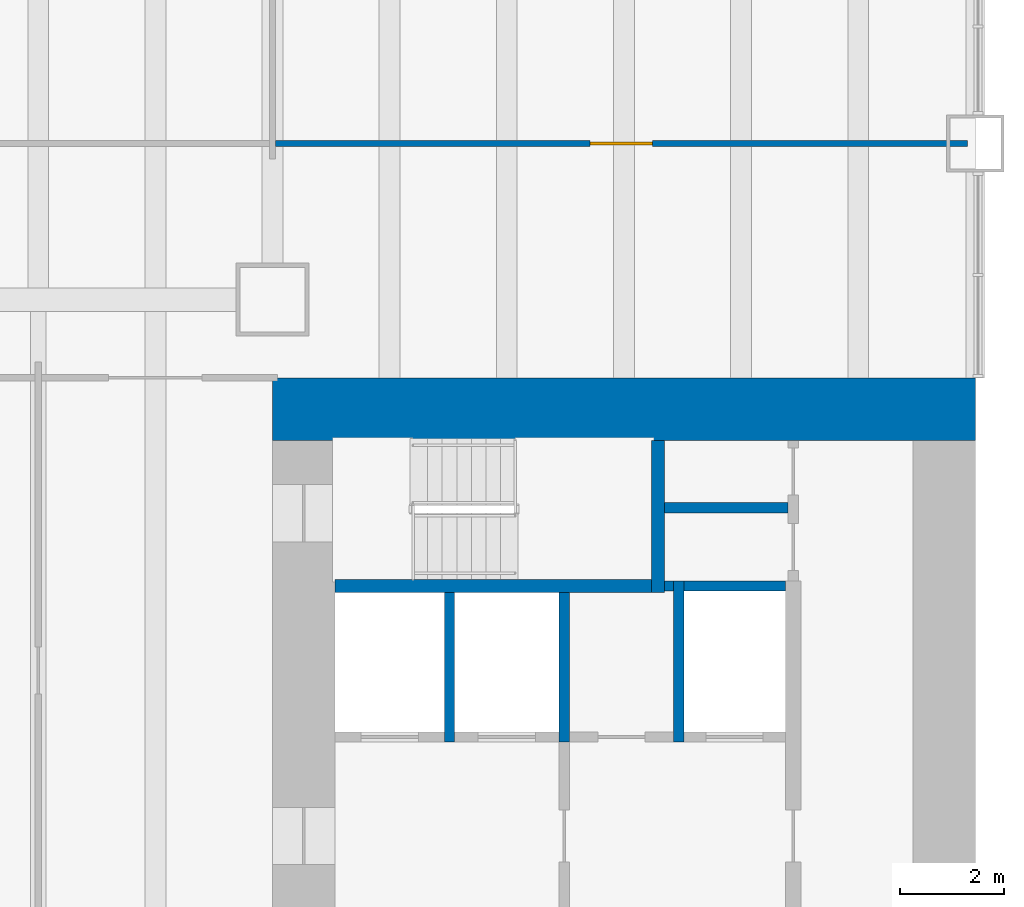
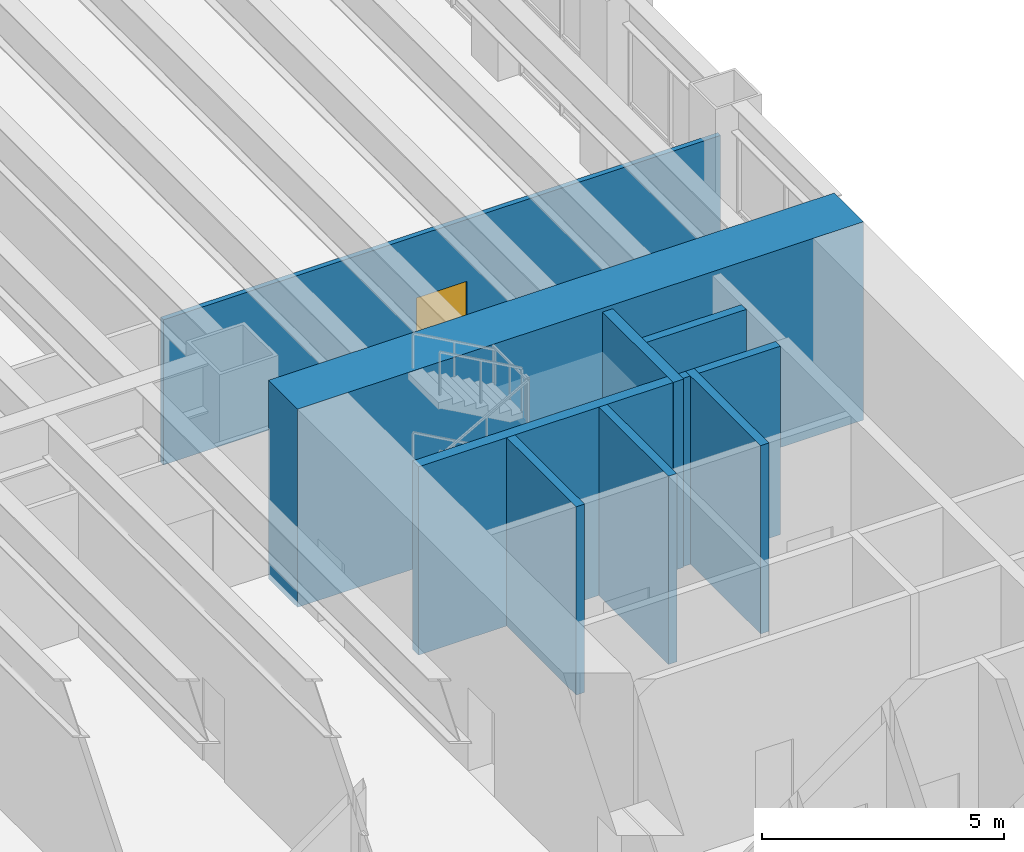
# One storey, part 13 of 19: 10 walls, 1 door, 1 opening.
"""IFC4 building model written with IfcOpenShell, lengths in metres."""

from ifc_helpers import new_model, si_unit, direction, frame, frame_2d, origin, place, context, subcontext, project, spatial, rectangle, extrude, material, layer, layer_set, type_object, element, fill, save


model = new_model("IFC4")

# Units and contexts
model_context = context("Model", 3, precision=1e-05, world=origin(), true_north=direction((0.0, 1.0)))
body_context = subcontext(model_context, "Body", "Model", "MODEL_VIEW")
ifc_project = project(units=[si_unit("LENGTHUNIT", "METRE"), si_unit("AREAUNIT", "SQUARE_METRE"), si_unit("VOLUMEUNIT", "CUBIC_METRE"), si_unit("PLANEANGLEUNIT", "RADIAN"), si_unit("MASSUNIT", "GRAM", prefix="KILO")], contexts=[model_context])

# Site, building, storey
site_placement = place(None, origin())
site = spatial("IfcSite", under=ifc_project, at=site_placement, CompositionType="ELEMENT")
building_placement = place(site_placement, origin())
building = spatial("IfcBuilding", under=site, at=building_placement, Name="Sennacour Bend Tower", CompositionType="ELEMENT")
storey_placement = place(building_placement, frame((0.0, 0.0, 19.0)))
storey = spatial("IfcBuildingStorey", under=building, at=storey_placement, Name="L03", CompositionType="ELEMENT", Elevation=19.0)

# Wall
ifc_material_1 = material(Name="Concrete C80/95", Category="concrete")
ifc_layer_1 = layer(ifc_material_1, 1.199951171875, Name="Concrete C80/95", Category="concrete")
ifc_layer_set_1 = layer_set([ifc_layer_1], Name="Concrete C80/95")
wall_type_1 = type_object("IfcWallType", Name="Core wall 1200 C80/95", PredefinedType="SHEAR", material=ifc_layer_set_1)
wall_1_placement = place(storey_placement, frame((54.0, 21.89990234375, -0.14990234375), z_axis=(0.0, 0.0, 1.0), x_axis=(1.0, 0.0, 0.0)))
element("IfcWall", 1, at=wall_1_placement, inside=storey, type_object=wall_type_1, Name="Core A wall L03 N", PredefinedType="SHEAR", context=body_context, shape_type="SweptSolid", body=[
    extrude(rectangle(XDim=13.5, YDim=1.199951171875, at=frame_2d((6.75, 0.0))), origin(), (0.0, 0.0, 1.0), 5.0),
])

# Wall, opening, door
ifc_material_2 = material(Name="Plasterboard partition on steel studs", Category="steel")
ifc_layer_2 = layer(ifc_material_2, 0.1201171875, Name="Plasterboard partition on steel studs", Category="steel")
ifc_layer_set_2 = layer_set([ifc_layer_2], Name="Plasterboard partition on steel studs")
wall_type_2 = type_object("IfcWallType", Name="Partition 120", PredefinedType="PARTITIONING", material=ifc_layer_set_2)
wall_2_placement = place(storey_placement, frame((54.06005859375, 27.0, 0.0), z_axis=(0.0, 0.0, 1.0), x_axis=(1.0, 0.0, 0.0)))
wall_2 = element("IfcWall", 2, at=wall_2_placement, inside=storey, type_object=wall_type_2, Name="P-L03-W068ae", PredefinedType="PARTITIONING", context=body_context, shape_type="SweptSolid", body=[
    extrude(rectangle(XDim=13.2900390625, YDim=0.1201171875, at=frame_2d((6.64501953125, 0.0))), origin(), (0.0, 0.0, 1.0), 3.66015625),
])
opening_placement = place(wall_2_placement, frame((6.034912109375, 0.0, 0.0)))
opening = element("IfcOpeningElement", 3, at=opening_placement, cuts=wall_2, Name="Opening OD", PredefinedType="OPENING", context=body_context, shape_type="SweptSolid", body=[
    extrude(rectangle(XDim=1.199951171875, YDim=2.10009765625, at=frame_2d((0.60009765625, 1.050048828125))), frame((0.0, 0.070068359375, 0.0), z_axis=(0.0, -1.0, 0.0), x_axis=(1.0, 0.0, 0.0)), (0.0, 0.0, 1.0), 0.14013671875),
])
ifc_material_3 = material(Name="Timber", Category="wood")
door_type = type_object("IfcDoorType", Name="DR-OFFICE-1200", OperationType="NOTDEFINED", PredefinedType="DOOR", material=ifc_material_3)
door_placement = place(opening_placement, origin())
door = element("IfcDoor", 4, at=door_placement, inside=storey, type_object=door_type, Name="Door", OperationType="SINGLE_SWING_LEFT", OverallHeight=2.10009765625, OverallWidth=1.199951171875, PredefinedType="DOOR", context=body_context, shape_type="SweptSolid", body=[
    extrude(rectangle(XDim=1.199951171875, YDim=2.10009765625, at=frame_2d((0.60009765625, 1.050048828125))), frame((0.0, 0.02490234375, 0.0), z_axis=(0.0, -1.0, 0.0), x_axis=(1.0, 0.0, 0.0)), (0.0, 0.0, 1.0), 0.050048828125),
])
fill(opening, door)

# Walls
ifc_material_4 = material(Name="Fire-rated plasterboard partition on steel studs", Category="steel")
ifc_layer_3 = layer(ifc_material_4, 0.199951171875, Name="Fire-rated plasterboard partition on steel studs", Category="steel")
ifc_layer_set_3 = layer_set([ifc_layer_3], Name="Fire-rated plasterboard partition on steel studs")
wall_type_3 = type_object("IfcWallType", Name="Rated partition 200", PredefinedType="PARTITIONING", material=ifc_layer_set_3)
wall_3_placement = place(storey_placement, frame((61.52490234375, 18.5, 0.0), z_axis=(0.0, 0.0, 1.0), x_axis=(1.0, 0.0, 0.0)))
element("IfcWall", 5, at=wall_3_placement, inside=storey, type_object=wall_type_3, Name="P-L03-W063", PredefinedType="PARTITIONING", context=body_context, shape_type="SweptSolid", body=[
    extrude(rectangle(XDim=0.175048828125, YDim=0.199951171875, at=frame_2d((0.08740234375, 0.0))), origin(), (0.0, 0.0, 1.0), 4.75),
])
wall_4_placement = place(storey_placement, frame((61.52490234375, 20.0, 0.0), z_axis=(0.0, 0.0, 1.0), x_axis=(1.0, 0.0, 0.0)))
element("IfcWall", 6, at=wall_4_placement, inside=storey, type_object=wall_type_3, Name="P-L03-W065", PredefinedType="PARTITIONING", context=body_context, shape_type="SweptSolid", body=[
    extrude(rectangle(XDim=2.375, YDim=0.199951171875, at=frame_2d((1.1875, 0.0))), origin(), (0.0, 0.0, 1.0), 4.75),
])
ifc_material_5 = material(Name="Concrete C50/60", Category="concrete")
ifc_layer_4 = layer(ifc_material_5, 0.199951171875, Name="Concrete C50/60", Category="concrete")
ifc_layer_set_4 = layer_set([ifc_layer_4], Name="Concrete C50/60")
wall_type_4 = type_object("IfcWallType", Name="Shaft wall 200", PredefinedType="SOLIDWALL", material=ifc_layer_set_4)
for number, where, z_axis, x_axis, name in (
    (7, (57.39990234375, 15.5, 0.0), (0.0, 0.0, 1.0), (0.0, 1.0, 0.0), "P-L03-W032"),
    (8, (59.60009765625, 15.5, 0.0), (0.0, 0.0, 1.0), (0.0, 1.0, 0.0), "P-L03-W035"),
):
    element("IfcWall", number, at=place(storey_placement, frame(where, z_axis=z_axis, x_axis=x_axis)), inside=storey, type_object=wall_type_4, Name=name, PredefinedType="SOLIDWALL", context=body_context, shape_type="SweptSolid", body=[
        extrude(rectangle(XDim=2.875, YDim=0.199951171875, at=frame_2d((1.4375, 0.0))), origin(), (0.0, 0.0, 1.0), 4.75),
    ])
wall_5_placement = place(storey_placement, frame((61.800048828125, 15.5, 0.0), z_axis=(0.0, 0.0, 1.0), x_axis=(0.0, 1.0, 0.0)))
element("IfcWall", 9, at=wall_5_placement, inside=storey, type_object=wall_type_4, Name="P-L03-W040", PredefinedType="SOLIDWALL", context=body_context, shape_type="SweptSolid", body=[
    extrude(rectangle(XDim=3.10009765625, YDim=0.199951171875, at=frame_2d((1.550048828125, 0.0))), origin(), (0.0, 0.0, 1.0), 4.75),
])
wall_6_placement = place(storey_placement, frame((61.89990234375, 18.5, 0.0), z_axis=(0.0, 0.0, 1.0), x_axis=(1.0, 0.0, 0.0)))
element("IfcWall", 10, at=wall_6_placement, inside=storey, type_object=wall_type_4, Name="P-L03-W064", PredefinedType="SOLIDWALL", context=body_context, shape_type="SweptSolid", body=[
    extrude(rectangle(XDim=1.9501953125, YDim=0.199951171875, at=frame_2d((0.97509765625, 0.0))), origin(), (0.0, 0.0, 1.0), 4.75),
])
ifc_material_6 = material(Name="Concrete C60/75", Category="concrete")
ifc_layer_5 = layer(ifc_material_6, 0.25, Name="Concrete C60/75", Category="concrete")
ifc_layer_set_5 = layer_set([ifc_layer_5], Name="Concrete C60/75")
wall_type_5 = type_object("IfcWallType", Name="Stair wall 250", PredefinedType="SHEAR", material=ifc_layer_set_5)
wall_7_placement = place(storey_placement, frame((61.39990234375, 18.375, 0.0), z_axis=(0.0, 0.0, 1.0), x_axis=(0.0, 1.0, 0.0)))
element("IfcWall", 11, at=wall_7_placement, inside=storey, type_object=wall_type_5, Name="P-L03-W037", PredefinedType="SHEAR", context=body_context, shape_type="SweptSolid", body=[
    extrude(rectangle(XDim=2.925048828125, YDim=0.25, at=frame_2d((1.46240234375, 0.0))), origin(), (0.0, 0.0, 1.0), 4.75),
])
wall_8_placement = place(storey_placement, frame((55.199951171875, 18.5, 0.0), z_axis=(0.0, 0.0, 1.0), x_axis=(1.0, 0.0, 0.0)))
element("IfcWall", 12, at=wall_8_placement, inside=storey, type_object=wall_type_5, Name="P-L03-W062", PredefinedType="SHEAR", context=body_context, shape_type="SweptSolid", body=[
    extrude(rectangle(XDim=6.074951171875, YDim=0.25, at=frame_2d((3.03759765625, 0.0))), origin(), (0.0, 0.0, 1.0), 4.75),
])

save(model, "model.ifc")
